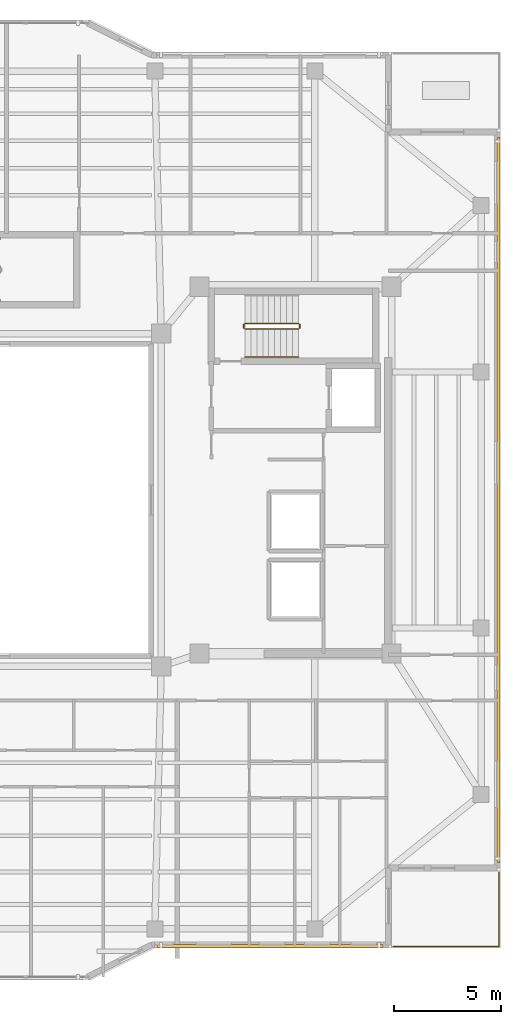
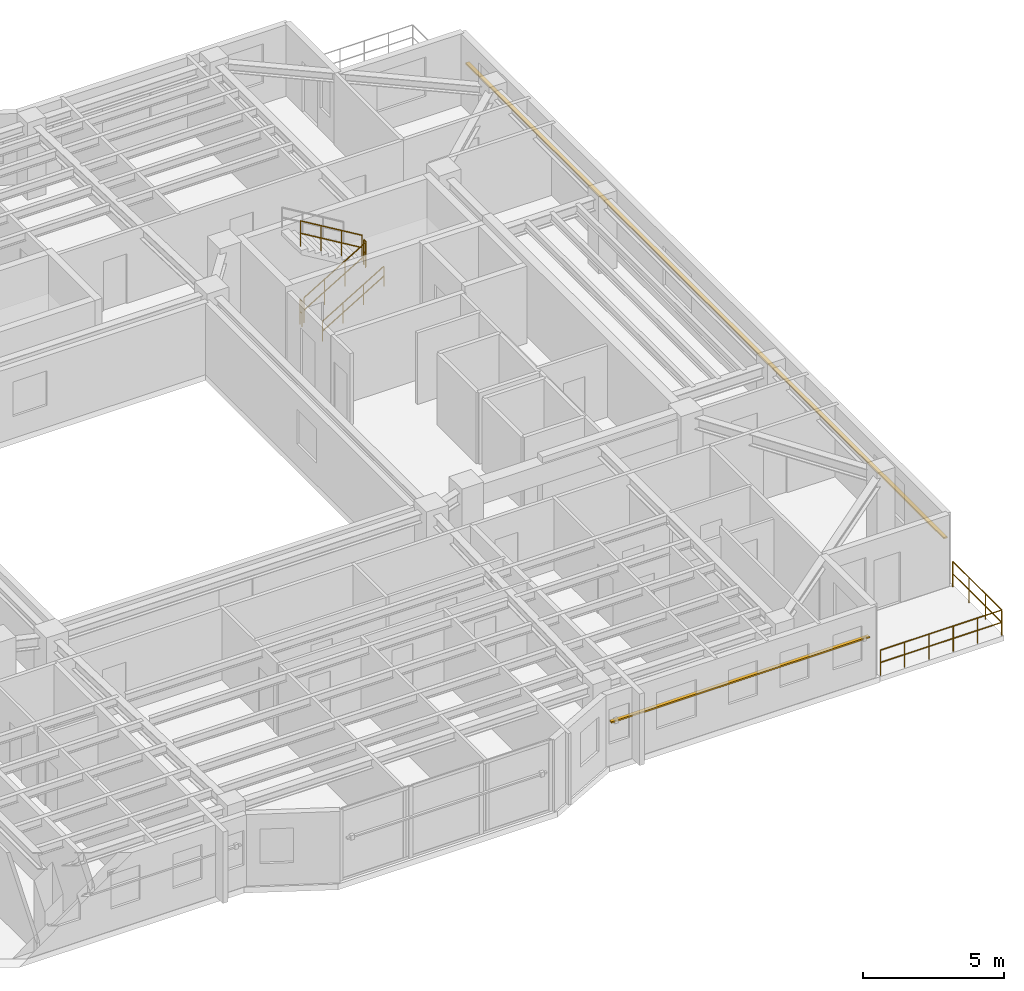
# One storey, part 13 of 15: 7 railings, 2 shading devices.
"""IFC4 building model written with IfcOpenShell, lengths in metres."""

from ifc_helpers import new_model, si_unit, direction, frame, origin, origin_2d, place, context, subcontext, project, spatial, rectangle, circle, extrude, material, material_profile, profile_set, type_object, element, save


model = new_model("IFC4")

# Units and contexts
model_context = context("Model", 3, precision=1e-05, world=origin(), true_north=direction((0.0, 1.0)))
body_context = subcontext(model_context, "Body", "Model", "MODEL_VIEW")
ifc_project = project(units=[si_unit("LENGTHUNIT", "METRE"), si_unit("AREAUNIT", "SQUARE_METRE"), si_unit("VOLUMEUNIT", "CUBIC_METRE"), si_unit("PLANEANGLEUNIT", "RADIAN"), si_unit("MASSUNIT", "GRAM", prefix="KILO")], contexts=[model_context])

# Site, building, storey
site_placement = place(None, origin())
site = spatial("IfcSite", under=ifc_project, at=site_placement, CompositionType="ELEMENT")
building_placement = place(site_placement, origin())
building = spatial("IfcBuilding", under=site, at=building_placement, Name="Tarnavaz Court Tower", CompositionType="ELEMENT")
storey_placement = place(building_placement, frame((0.0, 0.0, 186.89990234375)))
storey = spatial("IfcBuildingStorey", under=building, at=storey_placement, Name="L50", CompositionType="ELEMENT", Elevation=186.89990234375)

# Railings
ifc_material_1 = material(Name="Anodised Aluminium 6063-T6 and Laminated Safety Glass", Category="aluminium")
railing_type_1 = type_object("IfcRailingType", Name="RL-BAL-1120", PredefinedType="BALUSTRADE", material=ifc_material_1)
railing_1_placement = place(storey_placement, frame((18.659912109375, -20.93994140625, 0.0)))
element("IfcRailing", 1, at=railing_1_placement, inside=storey, type_object=railing_type_1, Name="L50 Terrace 3 S Perimeter Balustrade", PredefinedType="BALUSTRADE", context=body_context, shape_type="SweptSolid", body=[
    extrude(circle(Radius=0.02392578125, at=origin_2d()), frame((0.0, 0.0, 1.09619140625), z_axis=(1.0, 0.0, 0.0), x_axis=(0.0, 1.0, 0.0)), (0.0, 0.0, 1.0), 4.97998046875),
    extrude(circle(Radius=0.02392578125, at=origin_2d()), frame((0.0, 0.0, 0.56005859375), z_axis=(1.0, 0.0, 0.0), x_axis=(0.0, 1.0, 0.0)), (0.0, 0.0, 1.0), 4.97998046875),
    extrude(circle(Radius=0.02099609375, at=origin_2d()), origin(), (0.0, 0.0, 1.0), 1.072021484375),
    extrude(circle(Radius=0.02099609375, at=origin_2d()), frame((0.99609375, 0.0, 0.0)), (0.0, 0.0, 1.0), 1.072021484375),
    extrude(circle(Radius=0.02099609375, at=origin_2d()), frame((1.991943359375, 0.0, 0.0)), (0.0, 0.0, 1.0), 1.072021484375),
    extrude(circle(Radius=0.02099609375, at=origin_2d()), frame((2.988037109375, 0.0, 0.0)), (0.0, 0.0, 1.0), 1.072021484375),
    extrude(circle(Radius=0.02099609375, at=origin_2d()), frame((3.98388671875, 0.0, 0.0)), (0.0, 0.0, 1.0), 1.072021484375),
    extrude(circle(Radius=0.02099609375, at=origin_2d()), frame((4.97998046875, 0.0, 0.0)), (0.0, 0.0, 1.0), 1.072021484375),
])
railing_2_placement = place(storey_placement, frame((23.639892578125, -20.93994140625, 0.0)))
element("IfcRailing", 2, at=railing_2_placement, inside=storey, type_object=railing_type_1, Name="L50 Terrace 3 E Perimeter Balustrade", PredefinedType="BALUSTRADE", context=body_context, shape_type="SweptSolid", body=[
    extrude(circle(Radius=0.02392578125, at=origin_2d()), frame((0.0, 0.0, 1.09619140625), z_axis=(0.0, 1.0, 0.0), x_axis=(-1.0, 0.0, 0.0)), (0.0, 0.0, 1.0), 3.47998046875),
    extrude(circle(Radius=0.02392578125, at=origin_2d()), frame((0.0, 0.0, 0.56005859375), z_axis=(0.0, 1.0, 0.0), x_axis=(-1.0, 0.0, 0.0)), (0.0, 0.0, 1.0), 3.47998046875),
    extrude(circle(Radius=0.02099609375, at=origin_2d()), origin(), (0.0, 0.0, 1.0), 1.072021484375),
    extrude(circle(Radius=0.02099609375, at=origin_2d()), frame((0.0, 1.159912109375, 0.0)), (0.0, 0.0, 1.0), 1.072021484375),
    extrude(circle(Radius=0.02099609375, at=origin_2d()), frame((0.0, 2.320068359375, 0.0)), (0.0, 0.0, 1.0), 1.072021484375),
    extrude(circle(Radius=0.02099609375, at=origin_2d()), frame((0.0, 3.47998046875, 0.0)), (0.0, 0.0, 1.0), 1.072021484375),
])
ifc_material_2 = material(Name="Brushed Stainless Steel", Category="steel")
railing_type_2 = type_object("IfcRailingType", Name="RL-HANDRAIL-900", PredefinedType="HANDRAIL", material=ifc_material_2)
railing_3_placement = place(storey_placement, frame((11.719970703125, 6.699951171875, 0.16748046875)))
element("IfcRailing", 3, at=railing_3_placement, inside=storey, type_object=railing_type_2, Name="L50 ST-E1 stair handrail 1", PredefinedType="HANDRAIL", context=body_context, shape_type="SweptSolid", body=[
    extrude(circle(Radius=0.02392578125, at=origin_2d()), frame((0.0, 0.0, 0.8759765625), z_axis=(0.858159760407, 0.0, 0.513382728203), x_axis=(0.0, 1.0, 0.0)), (0.0, 0.0, 1.0), 2.9365234375),
    extrude(circle(Radius=0.02392578125, at=origin_2d()), frame((0.0, 0.0, 0.449951171875), z_axis=(0.858159760407, 0.0, 0.513382728203), x_axis=(0.0, 1.0, 0.0)), (0.0, 0.0, 1.0), 2.9365234375),
    extrude(circle(Radius=0.02099609375, at=origin_2d()), origin(), (0.0, 0.0, 1.0), 0.851806640625),
    extrude(circle(Radius=0.02099609375, at=origin_2d()), frame((0.840087890625, 0.0, 0.50244140625)), (0.0, 0.0, 1.0), 0.851806640625),
    extrude(circle(Radius=0.02099609375, at=origin_2d()), frame((1.679931640625, 0.0, 1.005126953125)), (0.0, 0.0, 1.0), 0.851806640625),
    extrude(circle(Radius=0.02099609375, at=origin_2d()), frame((2.52001953125, 0.0, 1.507568359375)), (0.0, 0.0, 1.0), 0.851806640625),
])
ifc_material_3 = material(Name="Galvanized Painted Tubular Steel", Category="steel")
railing_type_3 = type_object("IfcRailingType", Name="RL-STGUARD-1120", PredefinedType="GUARDRAIL", material=ifc_material_3)
railing_4_placement = place(storey_placement, frame((11.719970703125, 8.02001953125, 0.16748046875)))
element("IfcRailing", 4, at=railing_4_placement, inside=storey, type_object=railing_type_3, Name="L50 ST-E1 stair guard 1", PredefinedType="GUARDRAIL", context=body_context, shape_type="SweptSolid", body=[
    extrude(circle(Radius=0.02392578125, at=origin_2d()), frame((0.0, 0.0, 1.09619140625), z_axis=(0.858159760407, 0.0, 0.513382728203), x_axis=(0.0, 1.0, 0.0)), (0.0, 0.0, 1.0), 2.9365234375),
    extrude(circle(Radius=0.02392578125, at=origin_2d()), frame((0.0, 0.0, 0.56005859375), z_axis=(0.858159760407, 0.0, 0.513382728203), x_axis=(0.0, 1.0, 0.0)), (0.0, 0.0, 1.0), 2.9365234375),
    extrude(circle(Radius=0.02099609375, at=origin_2d()), origin(), (0.0, 0.0, 1.0), 1.072021484375),
    extrude(circle(Radius=0.02099609375, at=origin_2d()), frame((0.840087890625, 0.0, 0.50244140625)), (0.0, 0.0, 1.0), 1.072021484375),
    extrude(circle(Radius=0.02099609375, at=origin_2d()), frame((1.679931640625, 0.0, 1.005126953125)), (0.0, 0.0, 1.0), 1.072021484375),
    extrude(circle(Radius=0.02099609375, at=origin_2d()), frame((2.52001953125, 0.0, 1.507568359375)), (0.0, 0.0, 1.0), 1.072021484375),
])
railing_5_placement = place(storey_placement, frame((14.2900390625, 8.070068359375, 1.675048828125)))
element("IfcRailing", 5, at=railing_5_placement, inside=storey, type_object=railing_type_3, Name="L50 ST-E1 stair guard 2", PredefinedType="GUARDRAIL", context=body_context, shape_type="SweptSolid", body=[
    extrude(circle(Radius=0.02392578125, at=origin_2d()), frame((0.0, 0.0, 1.09619140625), z_axis=(0.0, 1.0, 0.0), x_axis=(-1.0, 0.0, 0.0)), (0.0, 0.0, 1.0), 0.14990234375),
    extrude(circle(Radius=0.02392578125, at=origin_2d()), frame((0.0, 0.0, 0.56005859375), z_axis=(0.0, 1.0, 0.0), x_axis=(-1.0, 0.0, 0.0)), (0.0, 0.0, 1.0), 0.14990234375),
    extrude(circle(Radius=0.02099609375, at=origin_2d()), origin(), (0.0, 0.0, 1.0), 1.072021484375),
    extrude(circle(Radius=0.02099609375, at=origin_2d()), frame((0.0, 0.14990234375, 0.0)), (0.0, 0.0, 1.0), 1.072021484375),
])
railing_6_placement = place(storey_placement, frame((14.239990234375, 8.27001953125, 1.842529296875)))
element("IfcRailing", 6, at=railing_6_placement, inside=storey, type_object=railing_type_3, Name="L50 ST-E1 stair guard 3", PredefinedType="GUARDRAIL", context=body_context, shape_type="SweptSolid", body=[
    extrude(circle(Radius=0.02392578125, at=origin_2d()), frame((0.0, 0.0, 1.09619140625), z_axis=(-0.858159760407, 0.0, 0.513382728203), x_axis=(0.0, -1.0, 0.0)), (0.0, 0.0, 1.0), 2.9365234375),
    extrude(circle(Radius=0.02392578125, at=origin_2d()), frame((0.0, 0.0, 0.56005859375), z_axis=(-0.858159760407, 0.0, 0.513382728203), x_axis=(0.0, -1.0, 0.0)), (0.0, 0.0, 1.0), 2.9365234375),
    extrude(circle(Radius=0.02099609375, at=origin_2d()), origin(), (0.0, 0.0, 1.0), 1.072021484375),
    extrude(circle(Radius=0.02099609375, at=origin_2d()), frame((-0.840087890625, 0.0, 0.50244140625)), (0.0, 0.0, 1.0), 1.072021484375),
    extrude(circle(Radius=0.02099609375, at=origin_2d()), frame((-1.679931640625, 0.0, 1.005126953125)), (0.0, 0.0, 1.0), 1.072021484375),
    extrude(circle(Radius=0.02099609375, at=origin_2d()), frame((-2.52001953125, 0.0, 1.507568359375)), (0.0, 0.0, 1.0), 1.072021484375),
])
railing_7_placement = place(storey_placement, frame((11.669921875, 8.070068359375, 0.0)))
element("IfcRailing", 7, at=railing_7_placement, inside=storey, type_object=railing_type_3, Name="L50 ST-E1 stair guard 4", PredefinedType="GUARDRAIL", context=body_context, shape_type="SweptSolid", body=[
    extrude(circle(Radius=0.02392578125, at=origin_2d()), frame((0.0, 0.0, 1.09619140625), z_axis=(0.0, 1.0, 0.0), x_axis=(-1.0, 0.0, 0.0)), (0.0, 0.0, 1.0), 0.14990234375),
    extrude(circle(Radius=0.02392578125, at=origin_2d()), frame((0.0, 0.0, 0.56005859375), z_axis=(0.0, 1.0, 0.0), x_axis=(-1.0, 0.0, 0.0)), (0.0, 0.0, 1.0), 0.14990234375),
    extrude(circle(Radius=0.02099609375, at=origin_2d()), origin(), (0.0, 0.0, 1.0), 1.072021484375),
    extrude(circle(Radius=0.02099609375, at=origin_2d()), frame((0.0, 0.14990234375, 0.0)), (0.0, 0.0, 1.0), 1.072021484375),
])

# Shading devices
ifc_material_4 = material(Name="Kiln-Fired Khorasan Terracotta Ceramic", Category="masonry")
ifc_material_profile = material_profile(ifc_material_4, rectangle(XDim=0.14990234375, YDim=0.06494140625, at=origin_2d()), Name="TC BAGUETTE 150X65")
ifc_profile_set = profile_set([ifc_material_profile], Name="Kiln-Fired Khorasan Terracotta Ceramic")
shading_device_type = type_object("IfcShadingDeviceType", Name="SD-BAG-150", PredefinedType="USERDEFINED", material=ifc_profile_set)
shading_device_1_placement = place(storey_placement, frame((23.610107421875, 17.0, 1.85009765625), z_axis=(0.0, -1.0, 0.0), x_axis=(1.0, 0.0, 0.0)))
element("IfcShadingDevice", 8, at=shading_device_1_placement, inside=storey, type_object=shading_device_type, Name="L50 Terracotta Baguette Screen FBG12", ObjectType="BAGUETTE", PredefinedType="USERDEFINED", context=body_context, shape_type="SweptSolid", body=[
    extrude(rectangle(XDim=0.14990234375, YDim=0.06494140625, at=origin_2d()), origin(), (0.0, 0.0, 1.0), 34.0),
])
shading_device_2_placement = place(storey_placement, frame((18.199951171875, -20.909912109375, 1.85009765625), z_axis=(-1.0, 0.0, 0.0), x_axis=(0.0, -1.0, 0.0)))
element("IfcShadingDevice", 9, at=shading_device_2_placement, inside=storey, type_object=shading_device_type, Name="L50 Terracotta Baguette Screen FBG15", ObjectType="BAGUETTE", PredefinedType="USERDEFINED", context=body_context, shape_type="SweptSolid", body=[
    extrude(rectangle(XDim=0.14990234375, YDim=0.06494140625, at=origin_2d()), origin(), (0.0, 0.0, 1.0), 10.599853515625),
])

save(model, "model.ifc")
